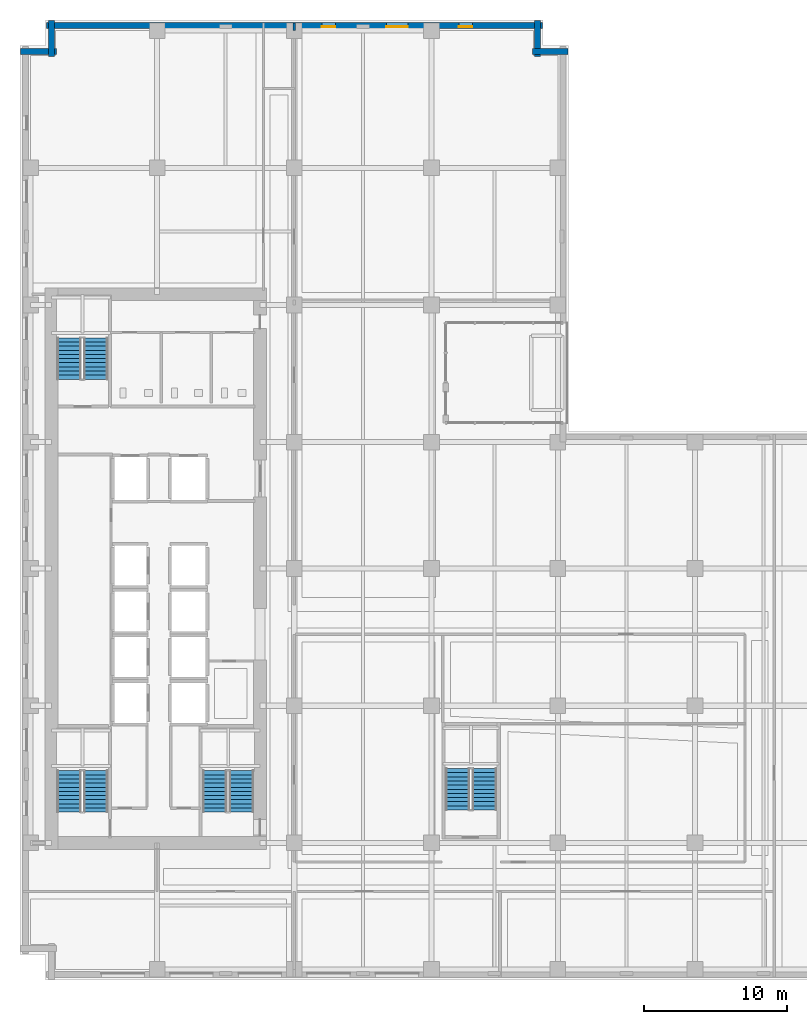
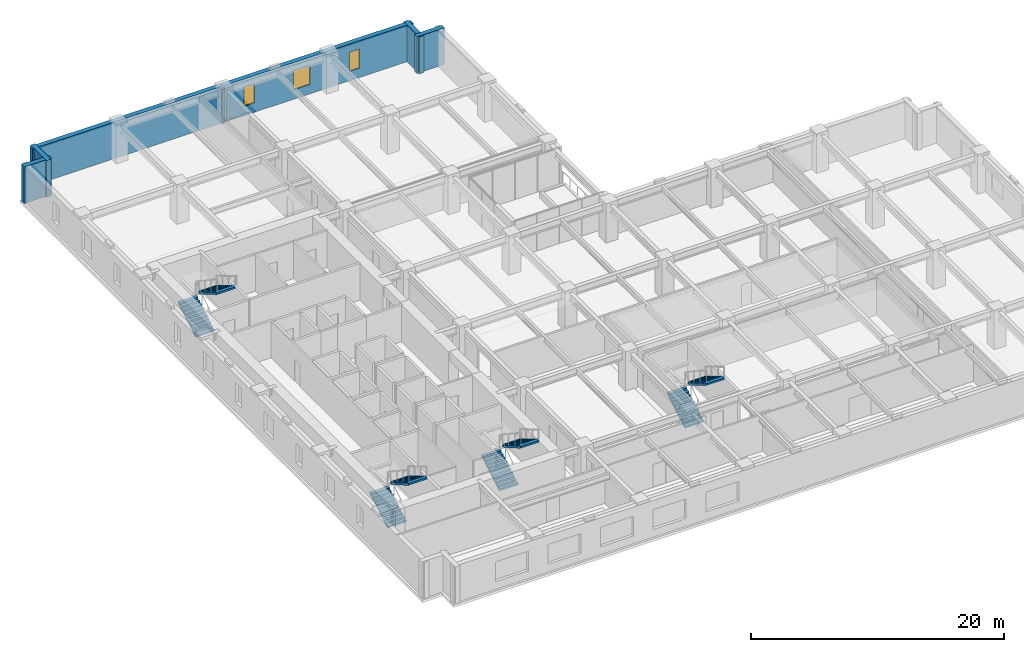
# One storey, part 8 of 16: 8 stair flights, 6 walls, 3 windows, 3 openings, 4 elements without a shape of their own.
"""IFC4 building model written with IfcOpenShell, lengths in metres."""

from ifc_helpers import new_model, si_unit, direction, frame, frame_2d, origin, place, context, subcontext, project, spatial, polyline, rectangle, outline, extrude, material, layer, layer_set, type_object, element, fill, aggregate, save


model = new_model("IFC4")

# Units and contexts
model_context = context("Model", 3, precision=1e-05, world=origin(), true_north=direction((0.0, 1.0)))
body_context = subcontext(model_context, "Body", "Model", "MODEL_VIEW")
ifc_project = project(units=[si_unit("LENGTHUNIT", "METRE"), si_unit("AREAUNIT", "SQUARE_METRE"), si_unit("VOLUMEUNIT", "CUBIC_METRE"), si_unit("PLANEANGLEUNIT", "RADIAN"), si_unit("MASSUNIT", "GRAM", prefix="KILO")], contexts=[model_context])

# Site, building, storey
site_placement = place(None, origin())
site = spatial("IfcSite", under=ifc_project, at=site_placement, CompositionType="ELEMENT")
building_placement = place(site_placement, origin())
building = spatial("IfcBuilding", under=site, at=building_placement, Name="Norrvale University Quadrangle", CompositionType="ELEMENT")
storey_placement = place(building_placement, frame((0.0, 0.0, 58.39990234375)))
storey = spatial("IfcBuildingStorey", under=building, at=storey_placement, Name="L14", CompositionType="ELEMENT", Elevation=58.39990234375)

# Walls
ifc_material_1 = material(Name="Buff Norman Clay Brick Masonry", Category="masonry")
ifc_layer_1 = layer(ifc_material_1, 0.419921875, Name="Buff Norman Clay Brick Masonry")
ifc_layer_set_1 = layer_set([ifc_layer_1], Name="Buff Norman Clay Brick Masonry")
wall_type_1 = type_object("IfcWallType", Name="Wall Buff Brick 420", PredefinedType="SOLIDWALL", material=ifc_layer_set_1)
for number, where, z_axis, x_axis, name in (
    (1, (38.360107421875, 65.010009765625, 0.0), (0.0, 0.0, 1.0), (-1.0, 0.0, 0.0), "Exterior Brick Facade Wall L14-09.1"),
    (2, (36.2099609375, 64.659912109375, 0.0), (0.0, 0.0, 1.0), (0.0, 1.0, 0.0), "Exterior Brick Facade Wall L14-10.1"),
):
    element("IfcWall", number, at=place(storey_placement, frame(where, z_axis=z_axis, x_axis=x_axis)), inside=storey, type_object=wall_type_1, Name=name, PredefinedType="SOLIDWALL", context=body_context, shape_type="SweptSolid", body=[
        extrude(rectangle(XDim=2.5, YDim=0.419921875, at=frame_2d((1.25, 0.0))), origin(), (0.0, 0.0, 1.0), 3.5400390625),
    ])

# Wall, openings, windows
wall_1_placement = place(storey_placement, frame((36.56005859375, 66.81005859375, 0.0), z_axis=(0.0, 0.0, 1.0), x_axis=(-1.0, 0.0, 0.0)))
wall_1 = element("IfcWall", 3, at=wall_1_placement, inside=storey, type_object=wall_type_1, Name="Exterior Brick Facade Wall L14-11.1", PredefinedType="SOLIDWALL", context=body_context, shape_type="SweptSolid", body=[
    extrude(rectangle(XDim=34.719970703125, YDim=0.419921875, at=frame_2d((17.35986328125, 0.0))), origin(), (0.0, 0.0, 1.0), 3.5400390625),
])
opening_1_placement = place(wall_1_placement, frame((4.885009765625, 0.0, 0.89990234375)))
opening_1 = element("IfcOpeningElement", 4, at=opening_1_placement, cuts=wall_1, Name="Opening W04", PredefinedType="OPENING", context=body_context, shape_type="SweptSolid", body=[
    extrude(rectangle(XDim=0.949951171875, YDim=1.85009765625, at=frame_2d((0.47509765625, 0.925048828125))), frame((0.0, 0.221923828125, 0.0), z_axis=(0.0, -1.0, 0.0), x_axis=(1.0, 0.0, 0.0)), (0.0, 0.0, 1.0), 0.44384765625),
])
opening_2_placement = place(wall_1_placement, frame((9.409912109375, 0.0, 0.89990234375)))
opening_2 = element("IfcOpeningElement", 5, at=opening_2_placement, cuts=wall_1, Name="Opening W03", PredefinedType="OPENING", context=body_context, shape_type="SweptSolid", body=[
    extrude(rectangle(XDim=1.5, YDim=1.85009765625, at=frame_2d((0.75, 0.925048828125))), frame((0.0, 0.221923828125, 0.0), z_axis=(0.0, -1.0, 0.0), x_axis=(1.0, 0.0, 0.0)), (0.0, 0.0, 1.0), 0.44384765625),
])
opening_3_placement = place(wall_1_placement, frame((14.485107421875, 0.0, 0.89990234375)))
opening_3 = element("IfcOpeningElement", 6, at=opening_3_placement, cuts=wall_1, Name="Opening W04", PredefinedType="OPENING", context=body_context, shape_type="SweptSolid", body=[
    extrude(rectangle(XDim=0.949951171875, YDim=1.85009765625, at=frame_2d((0.47509765625, 0.925048828125))), frame((0.0, 0.221923828125, 0.0), z_axis=(0.0, -1.0, 0.0), x_axis=(1.0, 0.0, 0.0)), (0.0, 0.0, 1.0), 0.44384765625),
])
ifc_material_2 = material(Name="Triple Low-E Argon Glazing", Category="glass")
window_type_1 = type_object("IfcWindowType", Name="Window Narrow Pier 950x2300", PartitioningType="SINGLE_PANEL", PredefinedType="WINDOW", material=ifc_material_2)
window_1_placement = place(opening_1_placement, origin())
window_1 = element("IfcWindow", 7, at=window_1_placement, inside=storey, type_object=window_type_1, Name="Window Narrow Pier 950x2300 WIN-L14-E11-1-01", OverallHeight=1.85009765625, OverallWidth=0.949951171875, PartitioningType="SINGLE_PANEL", PredefinedType="WINDOW", context=body_context, shape_type="SweptSolid", body=[
    extrude(rectangle(XDim=0.949951171875, YDim=1.85009765625, at=frame_2d((0.47509765625, 0.925048828125))), frame((0.0, 0.110107421875, 0.0), z_axis=(0.0, -1.0, 0.0), x_axis=(1.0, 0.0, 0.0)), (0.0, 0.0, 1.0), 0.06005859375),
])
fill(opening_1, window_1)
window_2_placement = place(opening_3_placement, origin())
window_2 = element("IfcWindow", 8, at=window_2_placement, inside=storey, type_object=window_type_1, Name="Window Narrow Pier 950x2300 WIN-L14-E11-1-03", OverallHeight=1.85009765625, OverallWidth=0.949951171875, PartitioningType="SINGLE_PANEL", PredefinedType="WINDOW", context=body_context, shape_type="SweptSolid", body=[
    extrude(rectangle(XDim=0.949951171875, YDim=1.85009765625, at=frame_2d((0.47509765625, 0.925048828125))), frame((0.0, 0.110107421875, 0.0), z_axis=(0.0, -1.0, 0.0), x_axis=(1.0, 0.0, 0.0)), (0.0, 0.0, 1.0), 0.06005859375),
])
fill(opening_3, window_2)
window_type_2 = type_object("IfcWindowType", Name="Window Studio 1500x2300", PartitioningType="DOUBLE_PANEL_VERTICAL", PredefinedType="WINDOW", material=ifc_material_2)
window_3_placement = place(opening_2_placement, origin())
window_3 = element("IfcWindow", 9, at=window_3_placement, inside=storey, type_object=window_type_2, Name="Window Studio 1500x2300 WIN-L14-E11-1-02", OverallHeight=1.85009765625, OverallWidth=1.5, PartitioningType="DOUBLE_PANEL_VERTICAL", PredefinedType="WINDOW", context=body_context, shape_type="SweptSolid", body=[
    extrude(rectangle(XDim=1.5, YDim=1.85009765625, at=frame_2d((0.75, 0.925048828125))), frame((0.0, 0.110107421875, 0.0), z_axis=(0.0, -1.0, 0.0), x_axis=(1.0, 0.0, 0.0)), (0.0, 0.0, 1.0), 0.06005859375),
])
fill(opening_2, window_3)

# Walls
for number, where, z_axis, x_axis, name in (
    (10, (2.18994140625, 67.159912109375, 0.0), (0.0, 0.0, 1.0), (0.0, -1.0, 0.0), "Exterior Brick Facade Wall L14-12.1"),
    (11, (2.5400390625, 65.010009765625, 0.0), (0.0, 0.0, 1.0), (-1.0, 0.0, 0.0), "Exterior Brick Facade Wall L14-13.1"),
):
    element("IfcWall", number, at=place(storey_placement, frame(where, z_axis=z_axis, x_axis=x_axis)), inside=storey, type_object=wall_type_1, Name=name, PredefinedType="SOLIDWALL", context=body_context, shape_type="SweptSolid", body=[
        extrude(rectangle(XDim=2.5, YDim=0.419921875, at=frame_2d((1.25, 0.0))), origin(), (0.0, 0.0, 1.0), 3.5400390625),
    ])
ifc_material_3 = material(Name="Fire-Rated Gypsum Stud Partition")
ifc_layer_2 = layer(ifc_material_3, 0.14990234375, Name="Fire-Rated Gypsum Stud Partition")
ifc_layer_set_2 = layer_set([ifc_layer_2], Name="Fire-Rated Gypsum Stud Partition")
wall_type_2 = type_object("IfcWallType", Name="Wall Gypsum Corridor 150", PredefinedType="PARTITIONING", material=ifc_layer_set_2)
wall_2_placement = place(storey_placement, frame((19.199951171875, 66.449951171875, 0.0), z_axis=(0.0, 0.0, 1.0), x_axis=(0.0, 1.0, 0.0)))
element("IfcWall", 12, at=wall_2_placement, inside=storey, type_object=wall_type_2, Name="Interior Partition WL-L14-NECW-B2", PredefinedType="PARTITIONING", context=body_context, shape_type="SweptSolid", body=[
    extrude(rectangle(XDim=0.530029296875, YDim=0.14990234375, at=frame_2d((0.26513671875, 0.0))), origin(), (0.0, 0.0, 1.0), 3.5400390625),
])

# Stair, stair flights
ifc_material_4 = material(Name="Concrete C40/50", Category="concrete")
stair_type = type_object("IfcStairType", Name="Stair Tower Typ 3800", PredefinedType="TWO_STRAIGHT_RUN_STAIR", material=ifc_material_4)
stair_1_placement = place(storey_placement, origin())
stair_1 = element("IfcStair", 13, at=stair_1_placement, inside=storey, type_object=stair_type, Name="Exit Stair ST-01 L14", PredefinedType="TWO_STRAIGHT_RUN_STAIR")
stair_flight_type = type_object("IfcStairFlightType", Name="Flight Typ 1500", PredefinedType="STRAIGHT", material=ifc_material_4)
stair_flight_1_placement = place(storey_placement, frame((3.429931640625, 11.75, 0.0), z_axis=(0.0, 0.0, 1.0), x_axis=(0.0, 1.0, 0.0)))
stair_flight_1 = element("IfcStairFlight", 14, at=stair_flight_1_placement, type_object=stair_flight_type, Name="Exit Stair ST-01 L14 Lower Flight", NumberOfRisers=11, NumberOfTreads=10, PredefinedType="STRAIGHT", RiserHeight=0.172727, TreadLength=0.29, context=body_context, shape_type="SweptSolid", body=[
    extrude(outline(polyline([(0.0, 0.0), (0.0, 0.172607421875), (0.2900390625, 0.172607421875), (0.2900390625, 0.345458984375), (0.580078125, 0.345458984375), (0.580078125, 0.51806640625), (0.8701171875, 0.51806640625), (0.8701171875, 0.69091796875), (1.159912109375, 0.69091796875), (1.159912109375, 0.863525390625), (1.449951171875, 0.863525390625), (1.449951171875, 1.036376953125), (1.739990234375, 1.036376953125), (1.739990234375, 1.208984375), (2.030029296875, 1.208984375), (2.030029296875, 1.3818359375), (2.320068359375, 1.3818359375), (2.320068359375, 1.554443359375), (2.610107421875, 1.554443359375), (2.610107421875, 1.727294921875), (2.89990234375, 1.727294921875), (2.89990234375, 1.89990234375), (2.89990234375, 1.552734375), (0.29296875, 0.0), (0.0, 0.0)])), frame((0.0, 0.83984375, 0.0), z_axis=(0.0, -1.0, 0.0), x_axis=(1.0, 0.0, 0.0)), (0.0, 0.0, 1.0), 1.679931640625),
])
stair_flight_2_placement = place(storey_placement, frame((5.320068359375, 14.64990234375, 1.900146484375), z_axis=(0.0, 0.0, 1.0), x_axis=(0.0, -1.0, 0.0)))
stair_flight_2 = element("IfcStairFlight", 15, at=stair_flight_2_placement, type_object=stair_flight_type, Name="Exit Stair ST-01 L14 Upper Flight", NumberOfRisers=11, NumberOfTreads=10, PredefinedType="STRAIGHT", RiserHeight=0.172727, TreadLength=0.29, context=body_context, shape_type="SweptSolid", body=[
    extrude(outline(polyline([(0.0, 0.0), (0.0, 0.172607421875), (0.2900390625, 0.172607421875), (0.2900390625, 0.345458984375), (0.580078125, 0.345458984375), (0.580078125, 0.51806640625), (0.8701171875, 0.51806640625), (0.8701171875, 0.69091796875), (1.159912109375, 0.69091796875), (1.159912109375, 0.863525390625), (1.449951171875, 0.863525390625), (1.449951171875, 1.036376953125), (1.739990234375, 1.036376953125), (1.739990234375, 1.208984375), (2.030029296875, 1.208984375), (2.030029296875, 1.3818359375), (2.320068359375, 1.3818359375), (2.320068359375, 1.554443359375), (2.610107421875, 1.554443359375), (2.610107421875, 1.727294921875), (2.89990234375, 1.727294921875), (2.89990234375, 1.89990234375), (2.89990234375, 1.552734375), (0.29296875, 0.0), (0.0, 0.0)])), frame((0.0, 0.83984375, 0.0), z_axis=(0.0, -1.0, 0.0), x_axis=(1.0, 0.0, 0.0)), (0.0, 0.0, 1.0), 1.679931640625),
])
aggregate(stair_1, [stair_flight_1, stair_flight_2])

stair_2_placement = place(storey_placement, origin())
stair_2 = element("IfcStair", 16, at=stair_2_placement, inside=storey, type_object=stair_type, Name="Exit Stair ST-02 L14", PredefinedType="TWO_STRAIGHT_RUN_STAIR")
stair_flight_3_placement = place(storey_placement, frame((3.429931640625, 42.050048828125, 0.0), z_axis=(0.0, 0.0, 1.0), x_axis=(0.0, 1.0, 0.0)))
stair_flight_3 = element("IfcStairFlight", 17, at=stair_flight_3_placement, type_object=stair_flight_type, Name="Exit Stair ST-02 L14 Lower Flight", NumberOfRisers=11, NumberOfTreads=10, PredefinedType="STRAIGHT", RiserHeight=0.172727, TreadLength=0.29, context=body_context, shape_type="SweptSolid", body=[
    extrude(outline(polyline([(0.0, 0.0), (0.0, 0.172607421875), (0.2900390625, 0.172607421875), (0.2900390625, 0.345458984375), (0.580078125, 0.345458984375), (0.580078125, 0.51806640625), (0.8701171875, 0.51806640625), (0.8701171875, 0.69091796875), (1.159912109375, 0.69091796875), (1.159912109375, 0.863525390625), (1.449951171875, 0.863525390625), (1.449951171875, 1.036376953125), (1.739990234375, 1.036376953125), (1.739990234375, 1.208984375), (2.030029296875, 1.208984375), (2.030029296875, 1.3818359375), (2.320068359375, 1.3818359375), (2.320068359375, 1.554443359375), (2.610107421875, 1.554443359375), (2.610107421875, 1.727294921875), (2.89990234375, 1.727294921875), (2.89990234375, 1.89990234375), (2.89990234375, 1.552734375), (0.29296875, 0.0), (0.0, 0.0)])), frame((0.0, 0.83984375, 0.0), z_axis=(0.0, -1.0, 0.0), x_axis=(1.0, 0.0, 0.0)), (0.0, 0.0, 1.0), 1.679931640625),
])
stair_flight_4_placement = place(storey_placement, frame((5.320068359375, 44.949951171875, 1.900146484375), z_axis=(0.0, 0.0, 1.0), x_axis=(0.0, -1.0, 0.0)))
stair_flight_4 = element("IfcStairFlight", 18, at=stair_flight_4_placement, type_object=stair_flight_type, Name="Exit Stair ST-02 L14 Upper Flight", NumberOfRisers=11, NumberOfTreads=10, PredefinedType="STRAIGHT", RiserHeight=0.172727, TreadLength=0.29, context=body_context, shape_type="SweptSolid", body=[
    extrude(outline(polyline([(0.0, 0.0), (0.0, 0.172607421875), (0.2900390625, 0.172607421875), (0.2900390625, 0.345458984375), (0.580078125, 0.345458984375), (0.580078125, 0.51806640625), (0.8701171875, 0.51806640625), (0.8701171875, 0.69091796875), (1.159912109375, 0.69091796875), (1.159912109375, 0.863525390625), (1.449951171875, 0.863525390625), (1.449951171875, 1.036376953125), (1.739990234375, 1.036376953125), (1.739990234375, 1.208984375), (2.030029296875, 1.208984375), (2.030029296875, 1.3818359375), (2.320068359375, 1.3818359375), (2.320068359375, 1.554443359375), (2.610107421875, 1.554443359375), (2.610107421875, 1.727294921875), (2.89990234375, 1.727294921875), (2.89990234375, 1.89990234375), (2.89990234375, 1.552734375), (0.29296875, 0.0), (0.0, 0.0)])), frame((0.0, 0.83984375, 0.0), z_axis=(0.0, -1.0, 0.0), x_axis=(1.0, 0.0, 0.0)), (0.0, 0.0, 1.0), 1.679931640625),
])
aggregate(stair_2, [stair_flight_3, stair_flight_4])

stair_3_placement = place(storey_placement, origin())
stair_3 = element("IfcStair", 19, at=stair_3_placement, inside=storey, type_object=stair_type, Name="Exit Stair ST-03 L14", PredefinedType="TWO_STRAIGHT_RUN_STAIR")
stair_flight_5_placement = place(storey_placement, frame((13.6298828125, 11.75, 0.0), z_axis=(0.0, 0.0, 1.0), x_axis=(0.0, 1.0, 0.0)))
stair_flight_5 = element("IfcStairFlight", 20, at=stair_flight_5_placement, type_object=stair_flight_type, Name="Exit Stair ST-03 L14 Lower Flight", NumberOfRisers=11, NumberOfTreads=10, PredefinedType="STRAIGHT", RiserHeight=0.172727, TreadLength=0.29, context=body_context, shape_type="SweptSolid", body=[
    extrude(outline(polyline([(0.0, 0.0), (0.0, 0.172607421875), (0.2900390625, 0.172607421875), (0.2900390625, 0.345458984375), (0.580078125, 0.345458984375), (0.580078125, 0.51806640625), (0.8701171875, 0.51806640625), (0.8701171875, 0.69091796875), (1.159912109375, 0.69091796875), (1.159912109375, 0.863525390625), (1.449951171875, 0.863525390625), (1.449951171875, 1.036376953125), (1.739990234375, 1.036376953125), (1.739990234375, 1.208984375), (2.030029296875, 1.208984375), (2.030029296875, 1.3818359375), (2.320068359375, 1.3818359375), (2.320068359375, 1.554443359375), (2.610107421875, 1.554443359375), (2.610107421875, 1.727294921875), (2.89990234375, 1.727294921875), (2.89990234375, 1.89990234375), (2.89990234375, 1.552734375), (0.29296875, 0.0), (0.0, 0.0)])), frame((0.0, 0.83984375, 0.0), z_axis=(0.0, -1.0, 0.0), x_axis=(1.0, 0.0, 0.0)), (0.0, 0.0, 1.0), 1.679931640625),
])
stair_flight_6_placement = place(storey_placement, frame((15.52001953125, 14.64990234375, 1.900146484375), z_axis=(0.0, 0.0, 1.0), x_axis=(0.0, -1.0, 0.0)))
stair_flight_6 = element("IfcStairFlight", 21, at=stair_flight_6_placement, type_object=stair_flight_type, Name="Exit Stair ST-03 L14 Upper Flight", NumberOfRisers=11, NumberOfTreads=10, PredefinedType="STRAIGHT", RiserHeight=0.172727, TreadLength=0.29, context=body_context, shape_type="SweptSolid", body=[
    extrude(outline(polyline([(0.0, 0.0), (0.0, 0.172607421875), (0.2900390625, 0.172607421875), (0.2900390625, 0.345458984375), (0.580078125, 0.345458984375), (0.580078125, 0.51806640625), (0.8701171875, 0.51806640625), (0.8701171875, 0.69091796875), (1.159912109375, 0.69091796875), (1.159912109375, 0.863525390625), (1.449951171875, 0.863525390625), (1.449951171875, 1.036376953125), (1.739990234375, 1.036376953125), (1.739990234375, 1.208984375), (2.030029296875, 1.208984375), (2.030029296875, 1.3818359375), (2.320068359375, 1.3818359375), (2.320068359375, 1.554443359375), (2.610107421875, 1.554443359375), (2.610107421875, 1.727294921875), (2.89990234375, 1.727294921875), (2.89990234375, 1.89990234375), (2.89990234375, 1.552734375), (0.29296875, 0.0), (0.0, 0.0)])), frame((0.0, 0.83984375, 0.0), z_axis=(0.0, -1.0, 0.0), x_axis=(1.0, 0.0, 0.0)), (0.0, 0.0, 1.0), 1.679931640625),
])
aggregate(stair_3, [stair_flight_5, stair_flight_6])

stair_4_placement = place(storey_placement, origin())
stair_4 = element("IfcStair", 22, at=stair_4_placement, inside=storey, type_object=stair_type, Name="Exit Stair ST-04 L14", PredefinedType="TWO_STRAIGHT_RUN_STAIR")
stair_flight_7_placement = place(storey_placement, frame((30.6298828125, 11.89990234375, 0.0), z_axis=(0.0, 0.0, 1.0), x_axis=(0.0, 1.0, 0.0)))
stair_flight_7 = element("IfcStairFlight", 23, at=stair_flight_7_placement, type_object=stair_flight_type, Name="Exit Stair ST-04 L14 Lower Flight", NumberOfRisers=11, NumberOfTreads=10, PredefinedType="STRAIGHT", RiserHeight=0.172727, TreadLength=0.29, context=body_context, shape_type="SweptSolid", body=[
    extrude(outline(polyline([(0.0, 0.0), (0.0, 0.172607421875), (0.2900390625, 0.172607421875), (0.2900390625, 0.345458984375), (0.580078125, 0.345458984375), (0.580078125, 0.51806640625), (0.8701171875, 0.51806640625), (0.8701171875, 0.69091796875), (1.159912109375, 0.69091796875), (1.159912109375, 0.863525390625), (1.449951171875, 0.863525390625), (1.449951171875, 1.036376953125), (1.739990234375, 1.036376953125), (1.739990234375, 1.208984375), (2.030029296875, 1.208984375), (2.030029296875, 1.3818359375), (2.320068359375, 1.3818359375), (2.320068359375, 1.554443359375), (2.610107421875, 1.554443359375), (2.610107421875, 1.727294921875), (2.89990234375, 1.727294921875), (2.89990234375, 1.89990234375), (2.89990234375, 1.552734375), (0.29296875, 0.0), (0.0, 0.0)])), frame((0.0, 0.83984375, 0.0), z_axis=(0.0, -1.0, 0.0), x_axis=(1.0, 0.0, 0.0)), (0.0, 0.0, 1.0), 1.679931640625),
])
stair_flight_8_placement = place(storey_placement, frame((32.52001953125, 14.800048828125, 1.900146484375), z_axis=(0.0, 0.0, 1.0), x_axis=(0.0, -1.0, 0.0)))
stair_flight_8 = element("IfcStairFlight", 24, at=stair_flight_8_placement, type_object=stair_flight_type, Name="Exit Stair ST-04 L14 Upper Flight", NumberOfRisers=11, NumberOfTreads=10, PredefinedType="STRAIGHT", RiserHeight=0.172727, TreadLength=0.29, context=body_context, shape_type="SweptSolid", body=[
    extrude(outline(polyline([(0.0, 0.0), (0.0, 0.172607421875), (0.2900390625, 0.172607421875), (0.2900390625, 0.345458984375), (0.580078125, 0.345458984375), (0.580078125, 0.51806640625), (0.8701171875, 0.51806640625), (0.8701171875, 0.69091796875), (1.159912109375, 0.69091796875), (1.159912109375, 0.863525390625), (1.449951171875, 0.863525390625), (1.449951171875, 1.036376953125), (1.739990234375, 1.036376953125), (1.739990234375, 1.208984375), (2.030029296875, 1.208984375), (2.030029296875, 1.3818359375), (2.320068359375, 1.3818359375), (2.320068359375, 1.554443359375), (2.610107421875, 1.554443359375), (2.610107421875, 1.727294921875), (2.89990234375, 1.727294921875), (2.89990234375, 1.89990234375), (2.89990234375, 1.552734375), (0.29296875, 0.0), (0.0, 0.0)])), frame((0.0, 0.83984375, 0.0), z_axis=(0.0, -1.0, 0.0), x_axis=(1.0, 0.0, 0.0)), (0.0, 0.0, 1.0), 1.679931640625),
])
aggregate(stair_4, [stair_flight_7, stair_flight_8])

save(model, "model.ifc")
